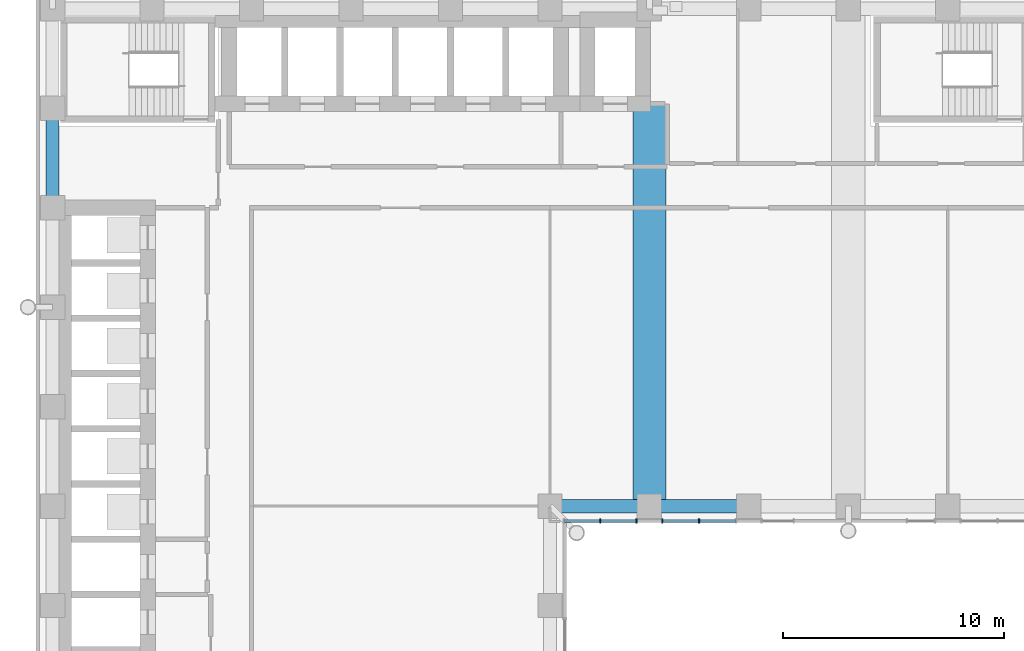
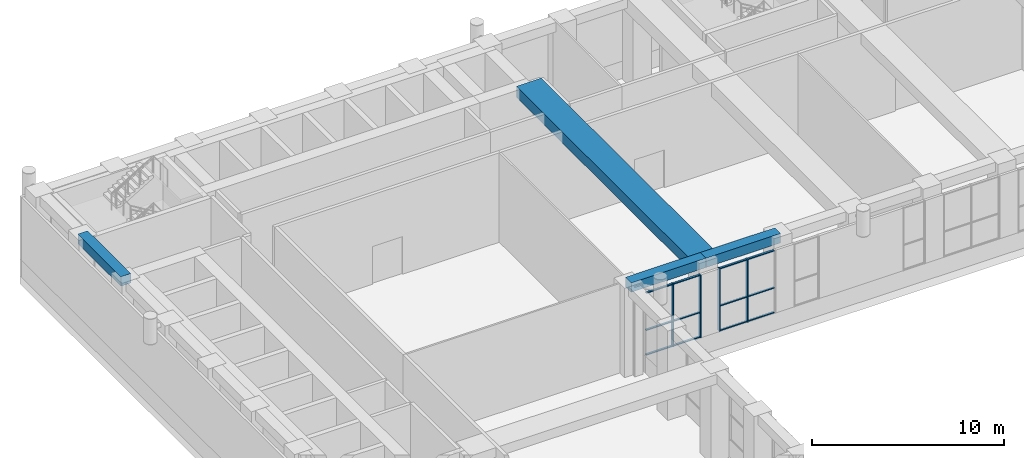
# One storey, part 4 of 22: 16 members, 4 beams, 2 elements without a shape of their own.
"""IFC4 building model written with IfcOpenShell, lengths in metres."""

from ifc_helpers import new_model, si_unit, direction, frame, origin, origin_2d, place, context, subcontext, project, spatial, rectangle, extrude, material, material_profile, profile_set, type_object, element, aggregate, save


model = new_model("IFC4")

# Units and contexts
model_context = context("Model", 3, precision=1e-05, world=origin(), true_north=direction((0.0, 1.0)))
body_context = subcontext(model_context, "Body", "Model", "MODEL_VIEW")
ifc_project = project(units=[si_unit("LENGTHUNIT", "METRE"), si_unit("AREAUNIT", "SQUARE_METRE"), si_unit("VOLUMEUNIT", "CUBIC_METRE"), si_unit("PLANEANGLEUNIT", "RADIAN"), si_unit("MASSUNIT", "GRAM", prefix="KILO")], contexts=[model_context])

# Site, building, storey
site_placement = place(None, origin())
site = spatial("IfcSite", under=ifc_project, at=site_placement, CompositionType="ELEMENT")
building_placement = place(site_placement, origin())
building = spatial("IfcBuilding", under=site, at=building_placement, Name="Firuza Court", CompositionType="ELEMENT")
storey_placement = place(building_placement, frame((0.0, 0.0, 113.60009765625)))
storey = spatial("IfcBuildingStorey", under=building, at=storey_placement, Name="L28", CompositionType="ELEMENT", Elevation=113.60009765625)

# Beam
ifc_material_1 = material(Name="Concrete C40/50", Category="concrete")
ifc_material_profile_1 = material_profile(ifc_material_1, rectangle(XDim=1.5, YDim=0.699951171875, at=origin_2d()), Name="RC 1500x700")
ifc_profile_set_1 = profile_set([ifc_material_profile_1], Name="Concrete C40/50")
beam_type_1 = type_object("IfcBeamType", Name="Band beam RC 1500x700 C40/50", PredefinedType="BEAM", material=ifc_profile_set_1)
beam_placement = place(storey_placement, frame((27.0, 36.0, 5.349853515625), z_axis=(0.0, 1.0, 0.0), x_axis=(-1.0, 0.0, 0.0)))
element("IfcBeam", 1, at=beam_placement, inside=storey, type_object=beam_type_1, Name="Band beam FB1 level L29", PredefinedType="BEAM", context=body_context, shape_type="SweptSolid", body=[
    extrude(rectangle(XDim=1.5, YDim=0.699951171875, at=origin_2d()), origin(), (0.0, 0.0, 1.0), 18.199951171875),
])

# Curtain wall, members
ifc_material_2 = material(Name="Aluminium curtain wall, triple clear glazing", Category="aluminium")
curtain_wall_type = type_object("IfcCurtainWallType", Name="Sky floor unitised curtain wall CW3", PredefinedType="NOTDEFINED", material=ifc_material_2)
curtain_wall_1_placement = place(storey_placement, origin())
curtain_wall_1 = element("IfcCurtainWall", 2, at=curtain_wall_1_placement, inside=storey, type_object=curtain_wall_type, Name="Sky floor unitised curtain wall CW3 L28", PredefinedType="NOTDEFINED")
ifc_material_3 = material(Name="Aluminium EN AW-6060 T66", Category="aluminium")
ifc_material_profile_2 = material_profile(ifc_material_3, rectangle(XDim=0.199951171875, YDim=0.06005859375, at=origin_2d()), Name="Mullion 200 x 60 CW3")
ifc_profile_set_2 = profile_set([ifc_material_profile_2], Name="Aluminium EN AW-6060 T66")
member_type_1 = type_object("IfcMemberType", Name="Mullion 200 x 60 CW3", PredefinedType="MULLION", material=ifc_profile_set_2)
member_1_placement = place(storey_placement, frame((24.77490234375, 35.330078125, 1.099853515625), z_axis=(0.0, 0.0, 1.0), x_axis=(0.0, 1.0, 0.0)))
member_1 = element("IfcMember", 3, at=member_1_placement, type_object=member_type_1, Name="CW3 mullion 2", PredefinedType="MULLION", context=body_context, shape_type="SweptSolid", body=[
    extrude(rectangle(XDim=0.199951171875, YDim=0.06005859375, at=origin_2d()), origin(), (0.0, 0.0, 1.0), 4.0),
])
member_2_placement = place(storey_placement, frame((26.419921875, 35.330078125, 1.099853515625), z_axis=(0.0, 0.0, 1.0), x_axis=(0.0, 1.0, 0.0)))
member_2 = element("IfcMember", 4, at=member_2_placement, type_object=member_type_1, Name="CW3 mullion 3", PredefinedType="MULLION", context=body_context, shape_type="SweptSolid", body=[
    extrude(rectangle(XDim=0.199951171875, YDim=0.06005859375, at=origin_2d()), origin(), (0.0, 0.0, 1.0), 4.0),
])

curtain_wall_2_placement = place(storey_placement, origin())
curtain_wall_2 = element("IfcCurtainWall", 5, at=curtain_wall_2_placement, inside=storey, type_object=curtain_wall_type, Name="Sky floor unitised curtain wall CW3 L28", PredefinedType="NOTDEFINED")
member_3_placement = place(storey_placement, frame((27.580078125, 35.330078125, 1.099853515625), z_axis=(0.0, 0.0, 1.0), x_axis=(0.0, 1.0, 0.0)))
member_3 = element("IfcMember", 6, at=member_3_placement, type_object=member_type_1, Name="CW3 mullion 1", PredefinedType="MULLION", context=body_context, shape_type="SweptSolid", body=[
    extrude(rectangle(XDim=0.199951171875, YDim=0.06005859375, at=origin_2d()), origin(), (0.0, 0.0, 1.0), 4.0),
])
member_4_placement = place(storey_placement, frame((29.25, 35.330078125, 1.099853515625), z_axis=(0.0, 0.0, 1.0), x_axis=(0.0, 1.0, 0.0)))
member_4 = element("IfcMember", 7, at=member_4_placement, type_object=member_type_1, Name="CW3 mullion 2", PredefinedType="MULLION", context=body_context, shape_type="SweptSolid", body=[
    extrude(rectangle(XDim=0.199951171875, YDim=0.06005859375, at=origin_2d()), origin(), (0.0, 0.0, 1.0), 4.0),
])

# Beams
ifc_material_4 = material(Name="Concrete C40/50", Category="concrete")
ifc_material_profile_3 = material_profile(ifc_material_4, rectangle(XDim=0.60009765625, YDim=0.60009765625, at=origin_2d()), Name="RC 600x600")
ifc_profile_set_3 = profile_set([ifc_material_profile_3], Name="Concrete C40/50")
beam_type_2 = type_object("IfcBeamType", Name="Spandrel beam RC 600x600 C40/50", PredefinedType="BEAM", material=ifc_profile_set_3)
for number, where, z_axis, x_axis, name in (
    (8, (0.0, 54.0, 5.39990234375), (0.0, -1.0, 0.0), (1.0, 0.0, 0.0), "Spandrel beam SP11 level L29"),
    (9, (22.5, 36.0, 5.39990234375), (1.0, 0.0, 0.0), (0.0, 1.0, 0.0), "Spandrel beam SP11 level L29"),
    (10, (27.0, 36.0, 5.39990234375), (1.0, 0.0, 0.0), (0.0, 1.0, 0.0), "Spandrel beam SP11 level L29"),
):
    element("IfcBeam", number, at=place(storey_placement, frame(where, z_axis=z_axis, x_axis=x_axis)), inside=storey, type_object=beam_type_2, Name=name, PredefinedType="BEAM", context=body_context, shape_type="SweptSolid", body=[
        extrude(rectangle(XDim=0.60009765625, YDim=0.60009765625, at=origin_2d()), origin(), (0.0, 0.0, 1.0), 4.5),
    ])

# Member
ifc_material_5 = material(Name="Aluminium EN AW-6060 T66", Category="aluminium")
ifc_material_profile_4 = material_profile(ifc_material_5, rectangle(XDim=0.1201171875, YDim=0.06005859375, at=origin_2d()), Name="Transom 120 x 60 CW3")
ifc_profile_set_4 = profile_set([ifc_material_profile_4], Name="Aluminium EN AW-6060 T66")
member_type_2 = type_object("IfcMemberType", Name="Transom 120 x 60 CW3", PredefinedType="USERDEFINED", material=ifc_profile_set_4)
member_5_placement = place(storey_placement, frame((23.159912109375, 35.330078125, 1.1298828125), z_axis=(1.0, 0.0, 0.0), x_axis=(0.0, 1.0, 0.0)))
member_5 = element("IfcMember", 11, at=member_5_placement, type_object=member_type_2, Name="CW3 transom 1.1", ObjectType="TRANSOM", PredefinedType="USERDEFINED", context=body_context, shape_type="SweptSolid", body=[
    extrude(rectangle(XDim=0.1201171875, YDim=0.06005859375, at=origin_2d()), origin(), (0.0, 0.0, 1.0), 1.585205078125),
])

member_6_placement = place(storey_placement, frame((23.159912109375, 35.330078125, 2.699951171875), z_axis=(1.0, 0.0, 0.0), x_axis=(0.0, 1.0, 0.0)))
member_6 = element("IfcMember", 12, at=member_6_placement, type_object=member_type_2, Name="CW3 transom 1.2", ObjectType="TRANSOM", PredefinedType="USERDEFINED", context=body_context, shape_type="SweptSolid", body=[
    extrude(rectangle(XDim=0.1201171875, YDim=0.06005859375, at=origin_2d()), origin(), (0.0, 0.0, 1.0), 1.585205078125),
])

member_7_placement = place(storey_placement, frame((23.159912109375, 35.330078125, 5.06982421875), z_axis=(1.0, 0.0, 0.0), x_axis=(0.0, 1.0, 0.0)))
member_7 = element("IfcMember", 13, at=member_7_placement, type_object=member_type_2, Name="CW3 transom 1.3", ObjectType="TRANSOM", PredefinedType="USERDEFINED", context=body_context, shape_type="SweptSolid", body=[
    extrude(rectangle(XDim=0.1201171875, YDim=0.06005859375, at=origin_2d()), origin(), (0.0, 0.0, 1.0), 1.585205078125),
])

member_8_placement = place(storey_placement, frame((24.804931640625, 35.330078125, 1.1298828125), z_axis=(1.0, 0.0, 0.0), x_axis=(0.0, 1.0, 0.0)))
member_8 = element("IfcMember", 14, at=member_8_placement, type_object=member_type_2, Name="CW3 transom 2.1", ObjectType="TRANSOM", PredefinedType="USERDEFINED", context=body_context, shape_type="SweptSolid", body=[
    extrude(rectangle(XDim=0.1201171875, YDim=0.06005859375, at=origin_2d()), origin(), (0.0, 0.0, 1.0), 1.5849609375),
])

member_9_placement = place(storey_placement, frame((24.804931640625, 35.330078125, 2.699951171875), z_axis=(1.0, 0.0, 0.0), x_axis=(0.0, 1.0, 0.0)))
member_9 = element("IfcMember", 15, at=member_9_placement, type_object=member_type_2, Name="CW3 transom 2.2", ObjectType="TRANSOM", PredefinedType="USERDEFINED", context=body_context, shape_type="SweptSolid", body=[
    extrude(rectangle(XDim=0.1201171875, YDim=0.06005859375, at=origin_2d()), origin(), (0.0, 0.0, 1.0), 1.5849609375),
])

member_10_placement = place(storey_placement, frame((24.804931640625, 35.330078125, 5.06982421875), z_axis=(1.0, 0.0, 0.0), x_axis=(0.0, 1.0, 0.0)))
member_10 = element("IfcMember", 16, at=member_10_placement, type_object=member_type_2, Name="CW3 transom 2.3", ObjectType="TRANSOM", PredefinedType="USERDEFINED", context=body_context, shape_type="SweptSolid", body=[
    extrude(rectangle(XDim=0.1201171875, YDim=0.06005859375, at=origin_2d()), origin(), (0.0, 0.0, 1.0), 1.5849609375),
])

aggregate(curtain_wall_1, [member_1, member_2, member_5, member_6, member_7, member_8, member_9, member_10])

member_11_placement = place(storey_placement, frame((27.610107421875, 35.330078125, 1.1298828125), z_axis=(1.0, 0.0, 0.0), x_axis=(0.0, 1.0, 0.0)))
member_11 = element("IfcMember", 17, at=member_11_placement, type_object=member_type_2, Name="CW3 transom 1.1", ObjectType="TRANSOM", PredefinedType="USERDEFINED", context=body_context, shape_type="SweptSolid", body=[
    extrude(rectangle(XDim=0.1201171875, YDim=0.06005859375, at=origin_2d()), origin(), (0.0, 0.0, 1.0), 1.60986328125),
])

member_12_placement = place(storey_placement, frame((27.610107421875, 35.330078125, 2.699951171875), z_axis=(1.0, 0.0, 0.0), x_axis=(0.0, 1.0, 0.0)))
member_12 = element("IfcMember", 18, at=member_12_placement, type_object=member_type_2, Name="CW3 transom 1.2", ObjectType="TRANSOM", PredefinedType="USERDEFINED", context=body_context, shape_type="SweptSolid", body=[
    extrude(rectangle(XDim=0.1201171875, YDim=0.06005859375, at=origin_2d()), origin(), (0.0, 0.0, 1.0), 1.60986328125),
])

member_13_placement = place(storey_placement, frame((27.610107421875, 35.330078125, 5.06982421875), z_axis=(1.0, 0.0, 0.0), x_axis=(0.0, 1.0, 0.0)))
member_13 = element("IfcMember", 19, at=member_13_placement, type_object=member_type_2, Name="CW3 transom 1.3", ObjectType="TRANSOM", PredefinedType="USERDEFINED", context=body_context, shape_type="SweptSolid", body=[
    extrude(rectangle(XDim=0.1201171875, YDim=0.06005859375, at=origin_2d()), origin(), (0.0, 0.0, 1.0), 1.60986328125),
])

member_14_placement = place(storey_placement, frame((29.280029296875, 35.330078125, 1.1298828125), z_axis=(1.0, 0.0, 0.0), x_axis=(0.0, 1.0, 0.0)))
member_14 = element("IfcMember", 20, at=member_14_placement, type_object=member_type_2, Name="CW3 transom 2.1", ObjectType="TRANSOM", PredefinedType="USERDEFINED", context=body_context, shape_type="SweptSolid", body=[
    extrude(rectangle(XDim=0.1201171875, YDim=0.06005859375, at=origin_2d()), origin(), (0.0, 0.0, 1.0), 1.60986328125),
])

member_15_placement = place(storey_placement, frame((29.280029296875, 35.330078125, 2.699951171875), z_axis=(1.0, 0.0, 0.0), x_axis=(0.0, 1.0, 0.0)))
member_15 = element("IfcMember", 21, at=member_15_placement, type_object=member_type_2, Name="CW3 transom 2.2", ObjectType="TRANSOM", PredefinedType="USERDEFINED", context=body_context, shape_type="SweptSolid", body=[
    extrude(rectangle(XDim=0.1201171875, YDim=0.06005859375, at=origin_2d()), origin(), (0.0, 0.0, 1.0), 1.60986328125),
])

member_16_placement = place(storey_placement, frame((29.280029296875, 35.330078125, 5.06982421875), z_axis=(1.0, 0.0, 0.0), x_axis=(0.0, 1.0, 0.0)))
member_16 = element("IfcMember", 22, at=member_16_placement, type_object=member_type_2, Name="CW3 transom 2.3", ObjectType="TRANSOM", PredefinedType="USERDEFINED", context=body_context, shape_type="SweptSolid", body=[
    extrude(rectangle(XDim=0.1201171875, YDim=0.06005859375, at=origin_2d()), origin(), (0.0, 0.0, 1.0), 1.60986328125),
])

aggregate(curtain_wall_2, [member_3, member_4, member_11, member_12, member_13, member_14, member_15, member_16])

save(model, "model.ifc")
